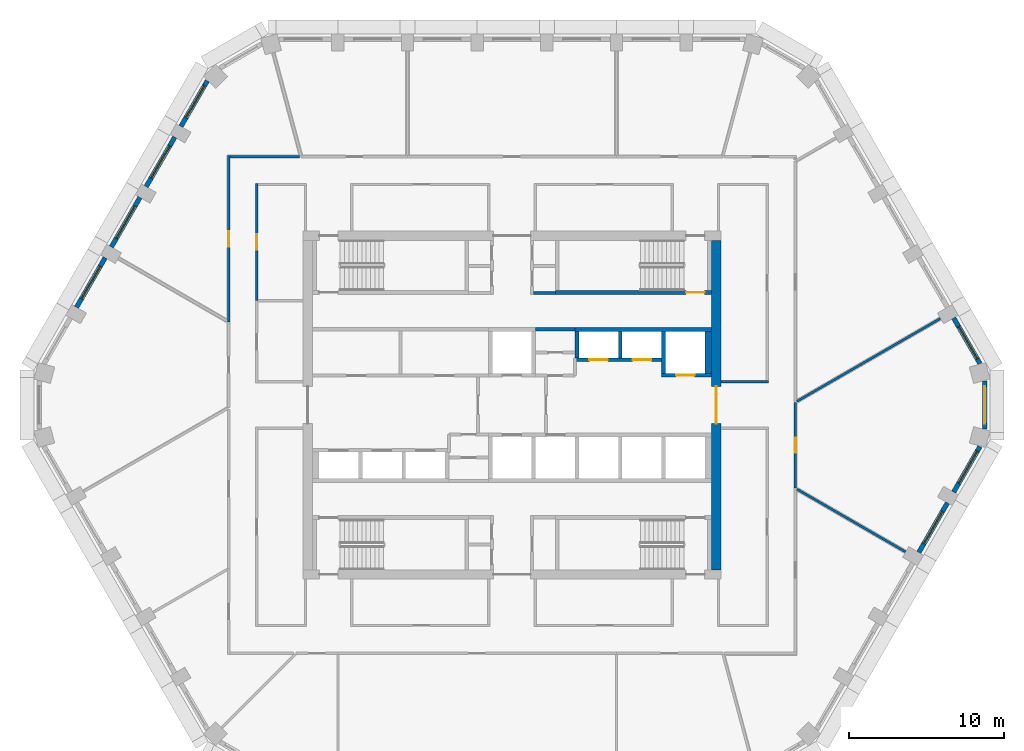
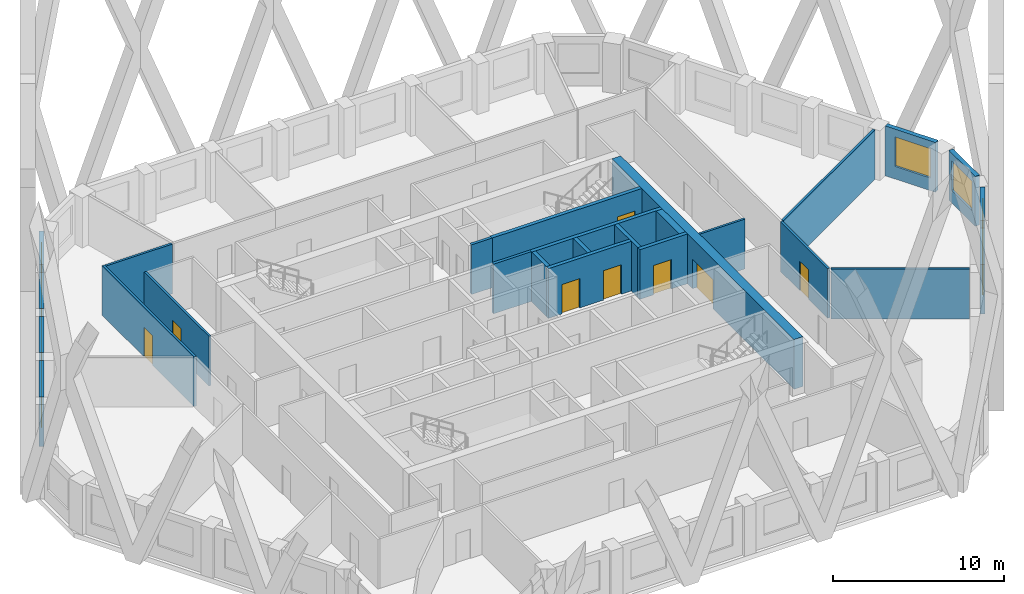
# One storey, part 5 of 16: 26 walls, 8 doors, 8 windows, 16 openings.
"""IFC4 building model written with IfcOpenShell, lengths in metres."""

import ifcopenshell
import ifcopenshell.guid

model = None  # the IFC model being written
_history = None  # IfcOwnerHistory: only IFC2X3 demands one
_inside = {}  # id of a spatial element -> (the spatial element, [elements in it])
_under = {}  # id of a project, library or spatial element -> (it, [spatial elements below it])
_declared = {}  # id of a project -> (the project, [libraries it declares])
_typed = {}  # id of a type object -> (the type object, [elements of that type])
_made_of = {}  # id of a material, layer set ... -> (it, [elements and type objects made of it])


def new_model(schema):
    """Start an empty IFC model of exactly this schema.

    Asked for "IFC4X3", IfcOpenShell would pick the latest addendum, in which some entities
    have other attributes; the version numbers below select the first issue.
    IFC2X3 requires an IfcOwnerHistory on every rooted entity: one is made here for all.
    """
    global model, _history
    if schema == "IFC4X3":
        model = ifcopenshell.file(schema_version=(4, 3, 0, 0))
    else:
        model = ifcopenshell.file(schema=schema)
    _inside.clear()
    _under.clear()
    _declared.clear()
    _typed.clear()
    _made_of.clear()
    _history = None
    if model.schema == "IFC2X3":
        org = make("IfcOrganization", Name="unknown")
        user = make(
            "IfcPersonAndOrganization",
            ThePerson=make("IfcPerson", FamilyName="unknown"),
            TheOrganization=org,
        )
        app = make(
            "IfcApplication",
            ApplicationDeveloper=org,
            Version="unknown",
            ApplicationFullName="unknown",
            ApplicationIdentifier="unknown",
        )
        _history = make(
            "IfcOwnerHistory",
            OwningUser=user,
            OwningApplication=app,
            ChangeAction="ADDED",
            CreationDate=0,
        )
    return model


def make(cls, **values):
    """One entity of the class cls with the attributes given. An attribute that is None is left unset."""
    return model.create_entity(
        cls, **{name: value for name, value in values.items() if value is not None}
    )


def rooted(cls, **values):
    """An entity with a GlobalId (a new one), such as an element, a storey or a relation."""
    return make(cls, GlobalId=ifcopenshell.guid.new(), OwnerHistory=_history, **values)


def si_unit(unit_type, name, prefix=None):
    """IfcSIUnit, for example si_unit("LENGTHUNIT", "METRE", prefix="MILLI")."""
    return make("IfcSIUnit", UnitType=unit_type, Prefix=prefix, Name=name)


def assignment(units):
    """IfcUnitAssignment: the units of a project."""
    return None if units is None else make("IfcUnitAssignment", Units=units)


def point(xyz):
    """IfcCartesianPoint."""
    return None if xyz is None else make("IfcCartesianPoint", Coordinates=xyz)


def direction(xyz):
    """IfcDirection."""
    return None if xyz is None else make("IfcDirection", DirectionRatios=xyz)


def frame(location, z_axis=None, x_axis=None):
    """IfcAxis2Placement3D, a coordinate frame: its origin and axes. An axis left out is left unset."""
    return make(
        "IfcAxis2Placement3D",
        Location=point(location),
        Axis=direction(z_axis),
        RefDirection=direction(x_axis),
    )


def frame_2d(location, x_axis=None):
    """IfcAxis2Placement2D, a coordinate frame in the plane: its origin and x axis."""
    return make(
        "IfcAxis2Placement2D", Location=point(location), RefDirection=direction(x_axis)
    )


def origin():
    """The frame at (0, 0, 0) with its axes left unset."""
    return frame((0.0, 0.0, 0.0))


def place(relative_to, where):
    """IfcLocalPlacement: puts the frame where relative to a parent placement (None: the world)."""
    return make(
        "IfcLocalPlacement", PlacementRelTo=relative_to, RelativePlacement=where
    )


def context(
    kind, dimensions, precision=None, world=None, true_north=None, identifier=None
):
    """IfcGeometricRepresentationContext, for example the 3D "Model" context."""
    return make(
        "IfcGeometricRepresentationContext",
        ContextIdentifier=identifier,
        ContextType=kind,
        CoordinateSpaceDimension=dimensions,
        Precision=precision,
        WorldCoordinateSystem=world,
        TrueNorth=true_north,
    )


def subcontext(parent, identifier, kind, view, scale=None):
    """IfcGeometricRepresentationSubContext, for example "Body" below "Model"."""
    return make(
        "IfcGeometricRepresentationSubContext",
        ContextIdentifier=identifier,
        ContextType=kind,
        ParentContext=parent,
        TargetScale=scale,
        TargetView=view,
    )


def project(units=None, contexts=None):
    """IfcProject with its units and contexts."""
    return rooted(
        "IfcProject",
        Name="project",
        RepresentationContexts=contexts,
        UnitsInContext=assignment(units),
    )


def spatial(cls, under=None, at=None, **own):
    """A site, building, storey or space (cls), placed at a placement, below another one or the project."""
    s = rooted(cls, ObjectPlacement=at, **own)
    if under is not None:
        _under.setdefault(under.id(), (under, []))[1].append(s)
    return s


def polyline(points):
    """IfcPolyline through the points."""
    return make("IfcPolyline", Points=[point(p) for p in points])


def profile(cls, at=None, kind="AREA", **sizes):
    """A parametric profile (cls). Its sizes go by their IFC names, for example OverallWidth=200.0."""
    return make(cls, ProfileType=kind, Position=at, **sizes)


def rectangle(**sizes):
    """IfcRectangleProfileDef."""
    return profile("IfcRectangleProfileDef", **sizes)


def outline(outer, holes=None, kind="AREA"):
    """IfcArbitraryClosedProfileDef: a profile drawn as a closed curve; with holes, ...WithVoids."""
    if holes is None:
        return make("IfcArbitraryClosedProfileDef", ProfileType=kind, OuterCurve=outer)
    return make(
        "IfcArbitraryProfileDefWithVoids",
        ProfileType=kind,
        OuterCurve=outer,
        InnerCurves=holes,
    )


def extrude(swept, where, along, depth):
    """IfcExtrudedAreaSolid: the profile swept, set in the frame where, extruded along a direction by depth."""
    return make(
        "IfcExtrudedAreaSolid",
        SweptArea=swept,
        Position=where,
        ExtrudedDirection=direction(along),
        Depth=depth,
    )


def shape(context_of_items, identifier, shape_type, items):
    """IfcShapeRepresentation: the items that make up one representation, for example the "Body"."""
    return make(
        "IfcShapeRepresentation",
        ContextOfItems=context_of_items,
        RepresentationIdentifier=identifier,
        RepresentationType=shape_type,
        Items=items,
    )


def material(Name=None, Category=None):
    """IfcMaterial."""
    return make("IfcMaterial", Name=Name, Category=Category)


def layer(
    of_material, thickness, ventilated=None, Name=None, Category=None, Priority=None
):
    """IfcMaterialLayer: one layer of a wall or slab, of a material (None: an air gap)."""
    return make(
        "IfcMaterialLayer",
        Material=of_material,
        LayerThickness=thickness,
        IsVentilated=ventilated,
        Name=Name,
        Category=Category,
        Priority=Priority,
    )


def layer_set(layers, Name=None):
    """IfcMaterialLayerSet."""
    return make("IfcMaterialLayerSet", MaterialLayers=layers, LayerSetName=Name)


def made_of(thing, what):
    """Note that an element or type object is made of a material, layer set ...; save() writes the relation."""
    if what is not None:
        _made_of.setdefault(what.id(), (what, []))[1].append(thing)
    return thing


def type_object(cls, material=None, **own):
    """A type object (cls), such as IfcWallType, which elements share."""
    return made_of(rooted(cls, **own), material)


def element(
    cls,
    number,
    at=None,
    inside=None,
    cuts=None,
    type_object=None,
    material=None,
    context=None,
    identifier="Body",
    shape_type=None,
    held_by="IfcProductDefinitionShape",
    body=None,
    shapes=None,
    **own,
):
    """One element of the class cls, such as IfcWall. Its Tag is "e" and its number.

    at: its placement. inside: the storey or other place that contains it. cuts: it is an
    opening in that element (IfcRelVoidsElement). A single representation is given by context,
    identifier, shape_type and body (its items); several are given by shapes. held_by: the class
    of the entity that holds the representations. save() writes the other relations.
    """
    e = rooted(cls, Tag="e%d" % number, ObjectPlacement=at, **own)
    if body is not None:
        shapes = [shape(context, identifier, shape_type, body)]
    if shapes is not None:
        e.Representation = make(held_by, Representations=shapes)
    if inside is not None:
        _inside.setdefault(inside.id(), (inside, []))[1].append(e)
    if cuts is not None:
        rooted(
            "IfcRelVoidsElement", RelatingBuildingElement=cuts, RelatedOpeningElement=e
        )
    if type_object is not None:
        _typed.setdefault(type_object.id(), (type_object, []))[1].append(e)
    return made_of(e, material)


def fill(opening, filler):
    """IfcRelFillsElement: the door or window that sits in an opening."""
    return rooted(
        "IfcRelFillsElement",
        RelatingOpeningElement=opening,
        RelatedBuildingElement=filler,
    )


def aggregate(whole, parts):
    """IfcRelAggregates: a whole, such as a stair, and the parts it consists of."""
    return rooted("IfcRelAggregates", RelatingObject=whole, RelatedObjects=parts)


def save(model, path):
    """Write the relations noted so far, then the file.

    IfcRelAggregates (storeys below a building ...), IfcRelContainedInSpatialStructure (elements
    in a storey), IfcRelDefinesByType, IfcRelAssociatesMaterial and IfcRelDeclares: one each for
    every whole, place, type object, material and project.
    """
    for whole, parts in _under.values():
        aggregate(whole, parts)
    for where, things in _inside.values():
        rooted(
            "IfcRelContainedInSpatialStructure",
            RelatedElements=things,
            RelatingStructure=where,
        )
    for kind, things in _typed.values():
        rooted("IfcRelDefinesByType", RelatedObjects=things, RelatingType=kind)
    for what, things in _made_of.values():
        rooted("IfcRelAssociatesMaterial", RelatedObjects=things, RelatingMaterial=what)
    for by, libraries in _declared.values():
        rooted("IfcRelDeclares", RelatingContext=by, RelatedDefinitions=libraries)
    model.write(path)


model = new_model("IFC4")

# Units and contexts
model_context = context("Model", 3, precision=1e-05, world=origin(), true_north=direction((0.0, 1.0)))
body_context = subcontext(model_context, "Body", "Model", "MODEL_VIEW")
ifc_project = project(units=[si_unit("LENGTHUNIT", "METRE"), si_unit("AREAUNIT", "SQUARE_METRE"), si_unit("VOLUMEUNIT", "CUBIC_METRE"), si_unit("PLANEANGLEUNIT", "RADIAN"), si_unit("MASSUNIT", "GRAM", prefix="KILO")], contexts=[model_context])

# Site, building, storey
site_placement = place(None, origin())
site = spatial("IfcSite", under=ifc_project, at=site_placement, CompositionType="ELEMENT")
building_placement = place(site_placement, origin())
building = spatial("IfcBuilding", under=site, at=building_placement, Name="Dhurran Vertical Campus", CompositionType="ELEMENT")
storey_placement = place(building_placement, frame((0.0, 0.0, 183.89990234375)))
storey = spatial("IfcBuildingStorey", under=building, at=storey_placement, Name="L45", CompositionType="ELEMENT", Elevation=183.89990234375)

# Wall, opening, window
ifc_material_1 = material(Name="Precast concrete C50/60", Category="concrete")
ifc_layer_1 = layer(ifc_material_1, 0.300048828125)
ifc_layer_set_1 = layer_set([ifc_layer_1], Name="Precast concrete C50/60")
wall_type_1 = type_object("IfcWallType", Name="Precast spandrel wall 300", PredefinedType="SOLIDWALL", material=ifc_layer_set_1)
wall_1_placement = place(storey_placement, frame((26.294189453125, -9.5224609375, 0.0), z_axis=(0.0, 0.0, 1.0), x_axis=(0.500029062817, 0.866008623709, 0.0)))
wall_1 = element("IfcWall", 1, at=wall_1_placement, inside=storey, type_object=wall_type_1, Name="EW1 L45.11", PredefinedType="SOLIDWALL", context=body_context, shape_type="SweptSolid", body=[
    extrude(rectangle(XDim=3.698974609375, YDim=0.300048828125, at=frame_2d((1.849609375, 0.0))), origin(), (0.0, 0.0, 1.0), 3.550048828125),
])
opening_1_placement = place(wall_1_placement, frame((0.6494140625, 0.0, 0.89990234375)))
opening_1 = element("IfcOpeningElement", 2, at=opening_1_placement, cuts=wall_1, Name="Opening WT1", PredefinedType="OPENING", context=body_context, shape_type="SweptSolid", body=[
    extrude(rectangle(XDim=2.39990234375, YDim=2.10009765625, at=frame_2d((1.199951171875, 1.050048828125))), frame((0.0, 0.159912109375, 0.0), z_axis=(0.0, -1.0, 0.0), x_axis=(1.0, 0.0, 0.0)), (0.0, 0.0, 1.0), 0.320068359375),
])
ifc_material_2 = material(Name="Aluminium frame with solar-control glass", Category="aluminium")
window_type = type_object("IfcWindowType", Name="Punched window 2400 x 2100", PartitioningType="SINGLE_PANEL", PredefinedType="WINDOW", material=ifc_material_2)
window_1_placement = place(opening_1_placement, origin())
window_1 = element("IfcWindow", 3, at=window_1_placement, inside=storey, type_object=window_type, Name="WT1 L45.11", OverallHeight=2.10009765625, OverallWidth=2.39990234375, PartitioningType="SINGLE_PANEL", PredefinedType="WINDOW", context=body_context, shape_type="SweptSolid", body=[
    extrude(rectangle(XDim=2.39990234375, YDim=2.10009765625, at=frame_2d((1.199951171875, 1.050048828125))), frame((0.0, 0.030029296875, 0.0), z_axis=(0.0, -1.0, 0.0), x_axis=(1.0, 0.0, 0.0)), (0.0, 0.0, 1.0), 0.06005859375),
])
fill(opening_1, window_1)

wall_2_placement = place(storey_placement, frame((28.544189453125, -5.625244140625, 0.0), z_axis=(0.0, 0.0, 1.0), x_axis=(0.500012868213, 0.866017974191, 0.0)))
wall_2 = element("IfcWall", 4, at=wall_2_placement, inside=storey, type_object=wall_type_1, Name="EW1 L45.12", PredefinedType="SOLIDWALL", context=body_context, shape_type="SweptSolid", body=[
    extrude(rectangle(XDim=3.39599609375, YDim=0.300048828125, at=frame_2d((1.697998046875, 0.0))), origin(), (0.0, 0.0, 1.0), 3.550048828125),
])
opening_2_placement = place(wall_2_placement, frame((0.6494140625, 0.0, 0.89990234375)))
opening_2 = element("IfcOpeningElement", 5, at=opening_2_placement, cuts=wall_2, Name="Opening WT1", PredefinedType="OPENING", context=body_context, shape_type="SweptSolid", body=[
    extrude(rectangle(XDim=2.39990234375, YDim=2.10009765625, at=frame_2d((1.199951171875, 1.050048828125))), frame((0.0, 0.159912109375, 0.0), z_axis=(0.0, -1.0, 0.0), x_axis=(1.0, 0.0, 0.0)), (0.0, 0.0, 1.0), 0.320068359375),
])
window_2_placement = place(opening_2_placement, origin())
window_2 = element("IfcWindow", 6, at=window_2_placement, inside=storey, type_object=window_type, Name="WT1 L45.12", OverallHeight=2.10009765625, OverallWidth=2.39990234375, PartitioningType="SINGLE_PANEL", PredefinedType="WINDOW", context=body_context, shape_type="SweptSolid", body=[
    extrude(rectangle(XDim=2.39990234375, YDim=2.10009765625, at=frame_2d((1.199951171875, 1.050048828125))), frame((0.0, 0.030029296875, 0.0), z_axis=(0.0, -1.0, 0.0), x_axis=(1.0, 0.0, 0.0)), (0.0, 0.0, 1.0), 0.06005859375),
])
fill(opening_2, window_2)

wall_3_placement = place(storey_placement, frame((30.547119140625, -1.54638671875, 0.0), z_axis=(0.0, 0.0, 1.0), x_axis=(0.0, 1.0, 0.0)))
wall_3 = element("IfcWall", 7, at=wall_3_placement, inside=storey, type_object=wall_type_1, Name="EW1 L45.13", PredefinedType="SOLIDWALL", context=body_context, shape_type="SweptSolid", body=[
    extrude(rectangle(XDim=3.0927734375, YDim=0.300048828125, at=frame_2d((1.54638671875, 0.0))), origin(), (0.0, 0.0, 1.0), 3.550048828125),
])
opening_3_placement = place(wall_3_placement, frame((0.34619140625, 0.0, 0.89990234375)))
opening_3 = element("IfcOpeningElement", 8, at=opening_3_placement, cuts=wall_3, Name="Opening WT1", PredefinedType="OPENING", context=body_context, shape_type="SweptSolid", body=[
    extrude(rectangle(XDim=2.39990234375, YDim=2.10009765625, at=frame_2d((1.199951171875, 1.050048828125))), frame((0.0, 0.159912109375, 0.0), z_axis=(0.0, -1.0, 0.0), x_axis=(1.0, 0.0, 0.0)), (0.0, 0.0, 1.0), 0.320068359375),
])
window_3_placement = place(opening_3_placement, origin())
window_3 = element("IfcWindow", 9, at=window_3_placement, inside=storey, type_object=window_type, Name="WT1 L45.13", OverallHeight=2.10009765625, OverallWidth=2.39990234375, PartitioningType="SINGLE_PANEL", PredefinedType="WINDOW", context=body_context, shape_type="SweptSolid", body=[
    extrude(rectangle(XDim=2.39990234375, YDim=2.10009765625, at=frame_2d((1.199951171875, 1.050048828125))), frame((0.0, 0.030029296875, 0.0), z_axis=(0.0, -1.0, 0.0), x_axis=(1.0, 0.0, 0.0)), (0.0, 0.0, 1.0), 0.06005859375),
])
fill(opening_3, window_3)

wall_4_placement = place(storey_placement, frame((30.2421875, 2.684326171875, 0.0), z_axis=(0.0, 0.0, 1.0), x_axis=(-0.500012868213, 0.866017974191, 0.0)))
wall_4 = element("IfcWall", 10, at=wall_4_placement, inside=storey, type_object=wall_type_1, Name="EW1 L45.14", PredefinedType="SOLIDWALL", context=body_context, shape_type="SweptSolid", body=[
    extrude(rectangle(XDim=3.39599609375, YDim=0.300048828125, at=frame_2d((1.697998046875, 0.0))), origin(), (0.0, 0.0, 1.0), 3.550048828125),
])
opening_4_placement = place(wall_4_placement, frame((0.346435546875, 0.0, 0.89990234375)))
opening_4 = element("IfcOpeningElement", 11, at=opening_4_placement, cuts=wall_4, Name="Opening WT1", PredefinedType="OPENING", context=body_context, shape_type="SweptSolid", body=[
    extrude(rectangle(XDim=2.39990234375, YDim=2.10009765625, at=frame_2d((1.199951171875, 1.050048828125))), frame((0.0, 0.159912109375, 0.0), z_axis=(0.0, -1.0, 0.0), x_axis=(1.0, 0.0, 0.0)), (0.0, 0.0, 1.0), 0.320068359375),
])
window_4_placement = place(opening_4_placement, origin())
window_4 = element("IfcWindow", 12, at=window_4_placement, inside=storey, type_object=window_type, Name="WT1 L45.14", OverallHeight=2.10009765625, OverallWidth=2.39990234375, PartitioningType="SINGLE_PANEL", PredefinedType="WINDOW", context=body_context, shape_type="SweptSolid", body=[
    extrude(rectangle(XDim=2.39990234375, YDim=2.10009765625, at=frame_2d((1.199951171875, 1.050048828125))), frame((0.0, 0.030029296875, 0.0), z_axis=(0.0, -1.0, 0.0), x_axis=(1.0, 0.0, 0.0)), (0.0, 0.0, 1.0), 0.06005859375),
])
fill(opening_4, window_4)

wall_5_placement = place(storey_placement, frame((-19.69580078125, 20.951171875, 0.0), z_axis=(0.0, 0.0, 1.0), x_axis=(-0.500012868213, -0.866017974191, 0.0)))
wall_5 = element("IfcWall", 13, at=wall_5_placement, inside=storey, type_object=wall_type_1, Name="EW1 L45.28", PredefinedType="SOLIDWALL", context=body_context, shape_type="SweptSolid", body=[
    extrude(rectangle(XDim=3.39599609375, YDim=0.300048828125, at=frame_2d((1.697998046875, 0.0))), origin(), (0.0, 0.0, 1.0), 3.550048828125),
])
opening_5_placement = place(wall_5_placement, frame((0.346435546875, 0.0, 0.89990234375)))
opening_5 = element("IfcOpeningElement", 14, at=opening_5_placement, cuts=wall_5, Name="Opening WT1", PredefinedType="OPENING", context=body_context, shape_type="SweptSolid", body=[
    extrude(rectangle(XDim=2.39990234375, YDim=2.10009765625, at=frame_2d((1.199951171875, 1.050048828125))), frame((0.0, 0.159912109375, 0.0), z_axis=(0.0, -1.0, 0.0), x_axis=(1.0, 0.0, 0.0)), (0.0, 0.0, 1.0), 0.320068359375),
])
window_5_placement = place(opening_5_placement, origin())
window_5 = element("IfcWindow", 15, at=window_5_placement, inside=storey, type_object=window_type, Name="WT1 L45.28", OverallHeight=2.10009765625, OverallWidth=2.39990234375, PartitioningType="SINGLE_PANEL", PredefinedType="WINDOW", context=body_context, shape_type="SweptSolid", body=[
    extrude(rectangle(XDim=2.39990234375, YDim=2.10009765625, at=frame_2d((1.199951171875, 1.050048828125))), frame((0.0, 0.030029296875, 0.0), z_axis=(0.0, -1.0, 0.0), x_axis=(1.0, 0.0, 0.0)), (0.0, 0.0, 1.0), 0.06005859375),
])
fill(opening_5, window_5)

wall_6_placement = place(storey_placement, frame((-21.794189453125, 17.316650390625, 0.0), z_axis=(0.0, 0.0, 1.0), x_axis=(-0.500029062817, -0.866008623709, 0.0)))
wall_6 = element("IfcWall", 16, at=wall_6_placement, inside=storey, type_object=wall_type_1, Name="EW1 L45.29", PredefinedType="SOLIDWALL", context=body_context, shape_type="SweptSolid", body=[
    extrude(rectangle(XDim=3.698974609375, YDim=0.300048828125, at=frame_2d((1.849609375, 0.0))), origin(), (0.0, 0.0, 1.0), 3.550048828125),
])
opening_6_placement = place(wall_6_placement, frame((0.6494140625, 0.0, 0.89990234375)))
opening_6 = element("IfcOpeningElement", 17, at=opening_6_placement, cuts=wall_6, Name="Opening WT1", PredefinedType="OPENING", context=body_context, shape_type="SweptSolid", body=[
    extrude(rectangle(XDim=2.39990234375, YDim=2.10009765625, at=frame_2d((1.199951171875, 1.050048828125))), frame((0.0, 0.159912109375, 0.0), z_axis=(0.0, -1.0, 0.0), x_axis=(1.0, 0.0, 0.0)), (0.0, 0.0, 1.0), 0.320068359375),
])
window_6_placement = place(opening_6_placement, origin())
window_6 = element("IfcWindow", 18, at=window_6_placement, inside=storey, type_object=window_type, Name="WT1 L45.29", OverallHeight=2.10009765625, OverallWidth=2.39990234375, PartitioningType="SINGLE_PANEL", PredefinedType="WINDOW", context=body_context, shape_type="SweptSolid", body=[
    extrude(rectangle(XDim=2.39990234375, YDim=2.10009765625, at=frame_2d((1.199951171875, 1.050048828125))), frame((0.0, 0.030029296875, 0.0), z_axis=(0.0, -1.0, 0.0), x_axis=(1.0, 0.0, 0.0)), (0.0, 0.0, 1.0), 0.06005859375),
])
fill(opening_6, window_6)

wall_7_placement = place(storey_placement, frame((-24.044189453125, 13.41943359375, 0.0), z_axis=(0.0, 0.0, 1.0), x_axis=(-0.500029062817, -0.866008623709, 0.0)))
wall_7 = element("IfcWall", 19, at=wall_7_placement, inside=storey, type_object=wall_type_1, Name="EW1 L45.30", PredefinedType="SOLIDWALL", context=body_context, shape_type="SweptSolid", body=[
    extrude(rectangle(XDim=3.698974609375, YDim=0.300048828125, at=frame_2d((1.849609375, 0.0))), origin(), (0.0, 0.0, 1.0), 3.550048828125),
])
opening_7_placement = place(wall_7_placement, frame((0.6494140625, 0.0, 0.89990234375)))
opening_7 = element("IfcOpeningElement", 20, at=opening_7_placement, cuts=wall_7, Name="Opening WT1", PredefinedType="OPENING", context=body_context, shape_type="SweptSolid", body=[
    extrude(rectangle(XDim=2.39990234375, YDim=2.10009765625, at=frame_2d((1.199951171875, 1.050048828125))), frame((0.0, 0.159912109375, 0.0), z_axis=(0.0, -1.0, 0.0), x_axis=(1.0, 0.0, 0.0)), (0.0, 0.0, 1.0), 0.320068359375),
])
window_7_placement = place(opening_7_placement, origin())
window_7 = element("IfcWindow", 21, at=window_7_placement, inside=storey, type_object=window_type, Name="WT1 L45.30", OverallHeight=2.10009765625, OverallWidth=2.39990234375, PartitioningType="SINGLE_PANEL", PredefinedType="WINDOW", context=body_context, shape_type="SweptSolid", body=[
    extrude(rectangle(XDim=2.39990234375, YDim=2.10009765625, at=frame_2d((1.199951171875, 1.050048828125))), frame((0.0, 0.030029296875, 0.0), z_axis=(0.0, -1.0, 0.0), x_axis=(1.0, 0.0, 0.0)), (0.0, 0.0, 1.0), 0.06005859375),
])
fill(opening_7, window_7)

wall_8_placement = place(storey_placement, frame((-26.294189453125, 9.5224609375, 0.0), z_axis=(0.0, 0.0, 1.0), x_axis=(-0.500029062817, -0.866008623709, 0.0)))
wall_8 = element("IfcWall", 22, at=wall_8_placement, inside=storey, type_object=wall_type_1, Name="EW1 L45.31", PredefinedType="SOLIDWALL", context=body_context, shape_type="SweptSolid", body=[
    extrude(rectangle(XDim=3.698974609375, YDim=0.300048828125, at=frame_2d((1.849609375, 0.0))), origin(), (0.0, 0.0, 1.0), 3.550048828125),
])
opening_8_placement = place(wall_8_placement, frame((0.6494140625, 0.0, 0.89990234375)))
opening_8 = element("IfcOpeningElement", 23, at=opening_8_placement, cuts=wall_8, Name="Opening WT1", PredefinedType="OPENING", context=body_context, shape_type="SweptSolid", body=[
    extrude(rectangle(XDim=2.39990234375, YDim=2.10009765625, at=frame_2d((1.199951171875, 1.050048828125))), frame((0.0, 0.159912109375, 0.0), z_axis=(0.0, -1.0, 0.0), x_axis=(1.0, 0.0, 0.0)), (0.0, 0.0, 1.0), 0.320068359375),
])
window_8_placement = place(opening_8_placement, origin())
window_8 = element("IfcWindow", 24, at=window_8_placement, inside=storey, type_object=window_type, Name="WT1 L45.31", OverallHeight=2.10009765625, OverallWidth=2.39990234375, PartitioningType="SINGLE_PANEL", PredefinedType="WINDOW", context=body_context, shape_type="SweptSolid", body=[
    extrude(rectangle(XDim=2.39990234375, YDim=2.10009765625, at=frame_2d((1.199951171875, 1.050048828125))), frame((0.0, 0.030029296875, 0.0), z_axis=(0.0, -1.0, 0.0), x_axis=(1.0, 0.0, 0.0)), (0.0, 0.0, 1.0), 0.06005859375),
])
fill(opening_8, window_8)

# Wall, opening, door
ifc_material_3 = material(Name="Concrete C50/60", Category="concrete")
ifc_layer_2 = layer(ifc_material_3, 0.60009765625)
ifc_layer_set_2 = layer_set([ifc_layer_2], Name="Concrete C50/60")
wall_type_2 = type_object("IfcWallType", Name="co-CORE-WALL-C2-600", PredefinedType="SHEAR", material=ifc_layer_set_2)
wall_9_placement = place(storey_placement, frame((13.199951171875, -10.64990234375, 0.0), z_axis=(0.0, 0.0, 1.0), x_axis=(0.0, 1.0, 0.0)))
wall_9 = element("IfcWall", 25, at=wall_9_placement, inside=storey, type_object=wall_type_2, Name="Core wall E L45", PredefinedType="SHEAR", context=body_context, shape_type="SweptSolid", body=[
    extrude(rectangle(XDim=21.2998046875, YDim=0.60009765625, at=frame_2d((10.64990234375, 0.0))), origin(), (0.0, 0.0, 1.0), 3.550048828125),
])
opening_9_placement = place(wall_9_placement, frame((9.449951171875, 0.0, 0.0)))
opening_9 = element("IfcOpeningElement", 26, at=opening_9_placement, cuts=wall_9, Name="Opening CL2", PredefinedType="OPENING", context=body_context, shape_type="SweptSolid", body=[
    extrude(rectangle(XDim=2.39990234375, YDim=2.10009765625, at=frame_2d((1.199951171875, 1.050048828125))), frame((0.0, 0.31005859375, 0.0), z_axis=(0.0, -1.0, 0.0), x_axis=(1.0, 0.0, 0.0)), (0.0, 0.0, 1.0), 0.6201171875),
])
ifc_material_4 = material(Name="Fire-rated glazed door set")
door_type_1 = type_object("IfcDoorType", Name="co-D-LOBBY 2400x2100", OperationType="DOUBLE_DOOR_DOUBLE_SWING", PredefinedType="DOOR", material=ifc_material_4)
door_1_placement = place(opening_9_placement, origin())
door_1 = element("IfcDoor", 27, at=door_1_placement, inside=storey, type_object=door_type_1, Name="Lift lobby door E L45", OperationType="DOUBLE_DOOR_DOUBLE_SWING", OverallHeight=2.10009765625, OverallWidth=2.39990234375, PredefinedType="DOOR", context=body_context, shape_type="SweptSolid", body=[
    extrude(rectangle(XDim=2.39990234375, YDim=2.10009765625, at=frame_2d((1.199951171875, 1.050048828125))), frame((0.0, 0.02490234375, 0.0), z_axis=(0.0, -1.0, 0.0), x_axis=(1.0, 0.0, 0.0)), (0.0, 0.0, 1.0), 0.050048828125),
])
fill(opening_9, door_1)

# Walls
ifc_material_5 = material(Name="Fire-rated masonry blockwork", Category="masonry")
ifc_layer_3 = layer(ifc_material_5, 0.199951171875)
ifc_layer_set_3 = layer_set([ifc_layer_3], Name="Fire-rated masonry blockwork")
wall_type_3 = type_object("IfcWallType", Name="co-FIRE-PARTITION-200", PredefinedType="PARTITIONING", material=ifc_layer_set_3)
wall_10_placement = place(storey_placement, frame((1.39990234375, 7.25, 0.0), z_axis=(0.0, 0.0, 1.0), x_axis=(1.0, 0.0, 0.0)))
element("IfcWall", 28, at=wall_10_placement, inside=storey, type_object=wall_type_3, Name="Core partition sl-NE-S L45", PredefinedType="PARTITIONING", context=body_context, shape_type="SweptSolid", body=[
    extrude(rectangle(XDim=1.400146484375, YDim=0.199951171875, at=frame_2d((0.7001953125, 0.0))), origin(), (0.0, 0.0, 1.0), 3.550048828125),
])
wall_11_placement = place(storey_placement, frame((1.52490234375, 4.89990234375, 0.0), z_axis=(0.0, 0.0, 1.0), x_axis=(1.0, 0.0, 0.0)))
element("IfcWall", 29, at=wall_11_placement, inside=storey, type_object=wall_type_3, Name="Core partition fr-N1-b L45", PredefinedType="PARTITIONING", context=body_context, shape_type="SweptSolid", body=[
    extrude(rectangle(XDim=2.550048828125, YDim=0.199951171875, at=frame_2d((1.27490234375, 0.0))), origin(), (0.0, 0.0, 1.0), 3.550048828125),
])

# Wall, openings, doors
ifc_material_6 = material(Name="Concrete C50/60", Category="concrete")
ifc_layer_4 = layer(ifc_material_6, 0.25)
ifc_layer_set_4 = layer_set([ifc_layer_4], Name="Concrete C50/60")
wall_type_4 = type_object("IfcWallType", Name="co-SHAFT-FRONT-250", PredefinedType="SHEAR", material=ifc_layer_set_4)
wall_12_placement = place(storey_placement, frame((4.074951171875, 2.925048828125, 0.0), z_axis=(0.0, 0.0, 1.0), x_axis=(1.0, 0.0, 0.0)))
wall_12 = element("IfcWall", 30, at=wall_12_placement, inside=storey, type_object=wall_type_4, Name="Lift landing wall N L45", PredefinedType="SHEAR", context=body_context, shape_type="SweptSolid", body=[
    extrude(rectangle(XDim=5.85009765625, YDim=0.25, at=frame_2d((2.925048828125, 0.0))), origin(), (0.0, 0.0, 1.0), 3.550048828125),
])
opening_10_placement = place(wall_12_placement, frame((0.925048828125, 0.0, 0.0)))
opening_10 = element("IfcOpeningElement", 31, at=opening_10_placement, cuts=wall_12, Name="Opening LD", PredefinedType="OPENING", context=body_context, shape_type="SweptSolid", body=[
    extrude(rectangle(XDim=1.199951171875, YDim=2.10009765625, at=frame_2d((0.60009765625, 1.050048828125))), frame((0.0, 0.135009765625, 0.0), z_axis=(0.0, -1.0, 0.0), x_axis=(1.0, 0.0, 0.0)), (0.0, 0.0, 1.0), 0.27001953125),
])
opening_11_placement = place(wall_12_placement, frame((3.72509765625, 0.0, 0.0)))
opening_11 = element("IfcOpeningElement", 32, at=opening_11_placement, cuts=wall_12, Name="Opening LD", PredefinedType="OPENING", context=body_context, shape_type="SweptSolid", body=[
    extrude(rectangle(XDim=1.199951171875, YDim=2.10009765625, at=frame_2d((0.60009765625, 1.050048828125))), frame((0.0, 0.135009765625, 0.0), z_axis=(0.0, -1.0, 0.0), x_axis=(1.0, 0.0, 0.0)), (0.0, 0.0, 1.0), 0.27001953125),
])
ifc_material_7 = material(Name="Stainless steel landing door", Category="steel")
door_type_2 = type_object("IfcDoorType", Name="co-D-LANDING 1200x2100", OperationType="DOUBLE_DOOR_SLIDING", PredefinedType="DOOR", material=ifc_material_7)
door_2_placement = place(opening_10_placement, origin())
door_2 = element("IfcDoor", 33, at=door_2_placement, inside=storey, type_object=door_type_2, Name="Landing door MR1 L45", OperationType="DOUBLE_DOOR_SLIDING", OverallHeight=2.10009765625, OverallWidth=1.199951171875, PredefinedType="DOOR", context=body_context, shape_type="SweptSolid", body=[
    extrude(rectangle(XDim=1.199951171875, YDim=2.10009765625, at=frame_2d((0.60009765625, 1.050048828125))), frame((0.0, 0.02490234375, 0.0), z_axis=(0.0, -1.0, 0.0), x_axis=(1.0, 0.0, 0.0)), (0.0, 0.0, 1.0), 0.050048828125),
])
fill(opening_10, door_2)
door_3_placement = place(opening_11_placement, origin())
door_3 = element("IfcDoor", 34, at=door_3_placement, inside=storey, type_object=door_type_2, Name="Landing door MR2 L45", OperationType="DOUBLE_DOOR_SLIDING", OverallHeight=2.10009765625, OverallWidth=1.199951171875, PredefinedType="DOOR", context=body_context, shape_type="SweptSolid", body=[
    extrude(rectangle(XDim=1.199951171875, YDim=2.10009765625, at=frame_2d((0.60009765625, 1.050048828125))), frame((0.0, 0.02490234375, 0.0), z_axis=(0.0, -1.0, 0.0), x_axis=(1.0, 0.0, 0.0)), (0.0, 0.0, 1.0), 0.050048828125),
])
fill(opening_11, door_3)

# Wall, opening, door
wall_13_placement = place(storey_placement, frame((9.675048828125, 1.925048828125, 0.0), z_axis=(0.0, 0.0, 1.0), x_axis=(1.0, 0.0, 0.0)))
wall_13 = element("IfcWall", 35, at=wall_13_placement, inside=storey, type_object=wall_type_4, Name="Lift landing wall N L45", PredefinedType="SHEAR", context=body_context, shape_type="SweptSolid", body=[
    extrude(rectangle(XDim=3.224853515625, YDim=0.25, at=frame_2d((1.6123046875, 0.0))), origin(), (0.0, 0.0, 1.0), 3.550048828125),
])
opening_12_placement = place(wall_13_placement, frame((0.925048828125, 0.0, 0.0)))
opening_12 = element("IfcOpeningElement", 36, at=opening_12_placement, cuts=wall_13, Name="Opening LD", PredefinedType="OPENING", context=body_context, shape_type="SweptSolid", body=[
    extrude(rectangle(XDim=1.199951171875, YDim=2.10009765625, at=frame_2d((0.60009765625, 1.050048828125))), frame((0.0, 0.135009765625, 0.0), z_axis=(0.0, -1.0, 0.0), x_axis=(1.0, 0.0, 0.0)), (0.0, 0.0, 1.0), 0.27001953125),
])
door_4_placement = place(opening_12_placement, origin())
door_4 = element("IfcDoor", 37, at=door_4_placement, inside=storey, type_object=door_type_2, Name="Landing door SV2 L45", OperationType="DOUBLE_DOOR_SLIDING", OverallHeight=2.10009765625, OverallWidth=1.199951171875, PredefinedType="DOOR", context=body_context, shape_type="SweptSolid", body=[
    extrude(rectangle(XDim=1.199951171875, YDim=2.10009765625, at=frame_2d((0.60009765625, 1.050048828125))), frame((0.0, 0.02490234375, 0.0), z_axis=(0.0, -1.0, 0.0), x_axis=(1.0, 0.0, 0.0)), (0.0, 0.0, 1.0), 0.050048828125),
])
fill(opening_12, door_4)

# Walls
ifc_material_8 = material(Name="Concrete C50/60", Category="concrete")
ifc_layer_5 = layer(ifc_material_8, 0.25)
ifc_layer_set_5 = layer_set([ifc_layer_5], Name="Concrete C50/60")
wall_type_5 = type_object("IfcWallType", Name="co-SHAFT-MASS-250", PredefinedType="SHEAR", material=ifc_layer_set_5)
wall_14_placement = place(storey_placement, origin())
element("IfcWall", 38, at=wall_14_placement, inside=storey, type_object=wall_type_5, Name="Lift shaft wall N L45 2", PredefinedType="SHEAR", context=body_context, shape_type="SweptSolid", body=[
    extrude(outline(polyline([(4.074951171875, 4.75), (12.89990234375, 4.75), (12.89990234375, 5.0), (4.074951171875, 5.0), (4.074951171875, 4.75)])), origin(), (0.0, 0.0, 1.0), 3.550048828125),
])
wall_15_placement = place(storey_placement, origin())
element("IfcWall", 39, at=wall_15_placement, inside=storey, type_object=wall_type_5, Name="Lift shaft wall N L45 5", PredefinedType="SHEAR", context=body_context, shape_type="SweptSolid", body=[
    extrude(outline(polyline([(9.675048828125, 2.050048828125), (9.925048828125, 2.050048828125), (9.925048828125, 4.75), (9.675048828125, 4.75), (9.675048828125, 2.050048828125)])), origin(), (0.0, 0.0, 1.0), 3.550048828125),
])
wall_16_placement = place(storey_placement, origin())
element("IfcWall", 40, at=wall_16_placement, inside=storey, type_object=wall_type_5, Name="Lift shaft wall N L45 6", PredefinedType="SHEAR", context=body_context, shape_type="SweptSolid", body=[
    extrude(outline(polyline([(12.47509765625, 2.050048828125), (12.89990234375, 2.050048828125), (12.89990234375, 4.75), (12.47509765625, 4.75), (12.47509765625, 2.050048828125)])), origin(), (0.0, 0.0, 1.0), 3.550048828125),
])
wall_17_placement = place(storey_placement, origin())
element("IfcWall", 41, at=wall_17_placement, inside=storey, type_object=wall_type_5, Name="Lift shaft wall N L45 7", PredefinedType="SHEAR", context=body_context, shape_type="SweptSolid", body=[
    extrude(outline(polyline([(4.074951171875, 3.050048828125), (4.324951171875, 3.050048828125), (4.324951171875, 4.75), (4.074951171875, 4.75), (4.074951171875, 3.050048828125)])), origin(), (0.0, 0.0, 1.0), 3.550048828125),
])
wall_18_placement = place(storey_placement, origin())
element("IfcWall", 42, at=wall_18_placement, inside=storey, type_object=wall_type_5, Name="Lift shaft wall N L45 8", PredefinedType="SHEAR", context=body_context, shape_type="SweptSolid", body=[
    extrude(outline(polyline([(6.875, 3.050048828125), (7.125, 3.050048828125), (7.125, 4.75), (6.875, 4.75), (6.875, 3.050048828125)])), origin(), (0.0, 0.0, 1.0), 3.550048828125),
])

# Wall, opening, door
ifc_material_9 = material(Name="Concrete C40/50", Category="concrete")
ifc_layer_6 = layer(ifc_material_9, 0.25)
ifc_layer_set_6 = layer_set([ifc_layer_6], Name="Concrete C40/50")
wall_type_6 = type_object("IfcWallType", Name="co-STAIR-WALL-250", PredefinedType="SHEAR", material=ifc_layer_set_6)
wall_19_placement = place(storey_placement, frame((2.800048828125, 7.27490234375, 0.0), z_axis=(0.0, 0.0, 1.0), x_axis=(1.0, 0.0, 0.0)))
wall_19 = element("IfcWall", 43, at=wall_19_placement, inside=storey, type_object=wall_type_6, Name="Stair ST2 enclosure wall L45", PredefinedType="SHEAR", context=body_context, shape_type="SweptSolid", body=[
    extrude(rectangle(XDim=10.099853515625, YDim=0.25, at=frame_2d((5.0498046875, 0.0))), origin(), (0.0, 0.0, 1.0), 3.550048828125),
])
opening_13_placement = place(wall_19_placement, frame((8.449951171875, 0.0, 0.0)))
opening_13 = element("IfcOpeningElement", 44, at=opening_13_placement, cuts=wall_19, Name="Opening SD2", PredefinedType="OPENING", context=body_context, shape_type="SweptSolid", body=[
    extrude(rectangle(XDim=1.199951171875, YDim=2.10009765625, at=frame_2d((0.60009765625, 1.050048828125))), frame((0.0, 0.135009765625, 0.0), z_axis=(0.0, -1.0, 0.0), x_axis=(1.0, 0.0, 0.0)), (0.0, 0.0, 1.0), 0.27001953125),
])
ifc_material_10 = material(Name="Fire-rated steel door set", Category="steel")
door_type_3 = type_object("IfcDoorType", Name="co-D-STAIR 1200x2100", OperationType="SINGLE_SWING_LEFT", PredefinedType="DOOR", material=ifc_material_10)
door_5_placement = place(opening_13_placement, origin())
door_5 = element("IfcDoor", 45, at=door_5_placement, inside=storey, type_object=door_type_3, Name="Stair ST2 door L45", OperationType="SINGLE_SWING_LEFT", OverallHeight=2.10009765625, OverallWidth=1.199951171875, PredefinedType="DOOR", context=body_context, shape_type="SweptSolid", body=[
    extrude(rectangle(XDim=1.199951171875, YDim=2.10009765625, at=frame_2d((0.60009765625, 1.050048828125))), frame((0.0, 0.02490234375, 0.0), z_axis=(0.0, -1.0, 0.0), x_axis=(1.0, 0.0, 0.0)), (0.0, 0.0, 1.0), 0.050048828125),
])
fill(opening_13, door_5)

ifc_material_11 = material(Name="Gypsum board corridor wall on steel studs", Category="steel")
ifc_layer_7 = layer(ifc_material_11, 0.14990234375)
ifc_layer_set_7 = layer_set([ifc_layer_7], Name="Gypsum board corridor wall on steel studs")
wall_type_7 = type_object("IfcWallType", Name="fl-CW-150 corridor wall", PredefinedType="PARTITIONING", material=ifc_layer_set_7)
wall_20_placement = place(storey_placement, frame((-18.300048828125, 16.125, 0.0), z_axis=(0.0, 0.0, 1.0), x_axis=(0.0, -1.0, 0.0)))
wall_20 = element("IfcWall", 46, at=wall_20_placement, inside=storey, type_object=wall_type_7, Name="Partition 45-09", PredefinedType="PARTITIONING", context=body_context, shape_type="SweptSolid", body=[
    extrude(rectangle(XDim=10.756103515625, YDim=0.14990234375, at=frame_2d((5.3779296875, 0.0))), origin(), (0.0, 0.0, 1.0), 3.550048828125),
])
opening_14_placement = place(wall_20_placement, frame((4.8779296875, 0.0, 0.0)))
opening_14 = element("IfcOpeningElement", 47, at=opening_14_placement, cuts=wall_20, Name="Opening T13.03", PredefinedType="OPENING", context=body_context, shape_type="SweptSolid", body=[
    extrude(rectangle(XDim=1.0, YDim=2.10009765625, at=frame_2d((0.5, 1.050048828125))), frame((0.0, 0.0849609375, 0.0), z_axis=(0.0, -1.0, 0.0), x_axis=(1.0, 0.0, 0.0)), (0.0, 0.0, 1.0), 0.169921875),
])
ifc_material_12 = material(Name="Solid-core timber door set, fire-rated", Category="wood")
door_type_4 = type_object("IfcDoorType", Name="fl-D-1000x2100", OperationType="SINGLE_SWING_LEFT", PredefinedType="DOOR", material=ifc_material_12)
door_6_placement = place(opening_14_placement, origin())
door_6 = element("IfcDoor", 48, at=door_6_placement, inside=storey, type_object=door_type_4, Name="Door 45.03", OperationType="SINGLE_SWING_LEFT", OverallHeight=2.10009765625, OverallWidth=1.0, PredefinedType="DOOR", context=body_context, shape_type="SweptSolid", body=[
    extrude(rectangle(XDim=1.0, YDim=2.10009765625, at=frame_2d((0.5, 1.050048828125))), frame((0.0, 0.02490234375, 0.0), z_axis=(0.0, -1.0, 0.0), x_axis=(1.0, 0.0, 0.0)), (0.0, 0.0, 1.0), 0.050048828125),
])
fill(opening_14, door_6)

# Wall
wall_21_placement = place(storey_placement, frame((-13.718994140625, 16.050048828125, 0.0), z_axis=(0.0, 0.0, 1.0), x_axis=(-1.0, 0.0, 0.0)))
element("IfcWall", 49, at=wall_21_placement, inside=storey, type_object=wall_type_7, Name="Partition 45-10", PredefinedType="PARTITIONING", context=body_context, shape_type="SweptSolid", body=[
    extrude(rectangle(XDim=4.506103515625, YDim=0.14990234375, at=frame_2d((2.2529296875, 0.0))), origin(), (0.0, 0.0, 1.0), 3.550048828125),
])

# Wall, opening, door
wall_22_placement = place(storey_placement, frame((-16.5, 6.75, 0.0), z_axis=(0.0, 0.0, 1.0), x_axis=(0.0, 1.0, 0.0)))
wall_22 = element("IfcWall", 50, at=wall_22_placement, inside=storey, type_object=wall_type_7, Name="Partition 45-16", PredefinedType="PARTITIONING", context=body_context, shape_type="SweptSolid", body=[
    extrude(rectangle(XDim=7.574951171875, YDim=0.14990234375, at=frame_2d((3.78759765625, 0.0))), origin(), (0.0, 0.0, 1.0), 3.550048828125),
])
opening_15_placement = place(wall_22_placement, frame((3.28759765625, 0.0, 0.0)))
opening_15 = element("IfcOpeningElement", 51, at=opening_15_placement, cuts=wall_22, Name="Opening T13.07", PredefinedType="OPENING", context=body_context, shape_type="SweptSolid", body=[
    extrude(rectangle(XDim=1.0, YDim=2.10009765625, at=frame_2d((0.5, 1.050048828125))), frame((0.0, 0.0849609375, 0.0), z_axis=(0.0, -1.0, 0.0), x_axis=(1.0, 0.0, 0.0)), (0.0, 0.0, 1.0), 0.169921875),
])
door_7_placement = place(opening_15_placement, origin())
door_7 = element("IfcDoor", 52, at=door_7_placement, inside=storey, type_object=door_type_4, Name="Door 45.07", OperationType="SINGLE_SWING_RIGHT", OverallHeight=2.10009765625, OverallWidth=1.0, PredefinedType="DOOR", context=body_context, shape_type="SweptSolid", body=[
    extrude(rectangle(XDim=1.0, YDim=2.10009765625, at=frame_2d((0.5, 1.050048828125))), frame((0.0, 0.02490234375, 0.0), z_axis=(0.0, -1.0, 0.0), x_axis=(1.0, 0.0, 0.0)), (0.0, 0.0, 1.0), 0.050048828125),
])
fill(opening_15, door_7)

# Wall
wall_23_placement = place(storey_placement, frame((16.574951171875, 1.5, 0.0), z_axis=(0.0, 0.0, 1.0), x_axis=(-1.0, 0.0, 0.0)))
element("IfcWall", 53, at=wall_23_placement, inside=storey, type_object=wall_type_7, Name="Partition 45-49", PredefinedType="PARTITIONING", context=body_context, shape_type="SweptSolid", body=[
    extrude(rectangle(XDim=3.074951171875, YDim=0.14990234375, at=frame_2d((1.53759765625, 0.0))), origin(), (0.0, 0.0, 1.0), 3.550048828125),
])

# Wall, opening, door
wall_24_placement = place(storey_placement, frame((18.300048828125, -5.368896484375, 0.0), z_axis=(0.0, 0.0, 1.0), x_axis=(0.0, 1.0, 0.0)))
wall_24 = element("IfcWall", 54, at=wall_24_placement, inside=storey, type_object=wall_type_7, Name="Partition 45-57", PredefinedType="PARTITIONING", context=body_context, shape_type="SweptSolid", body=[
    extrude(rectangle(XDim=5.5419921875, YDim=0.14990234375, at=frame_2d((2.77099609375, 0.0))), origin(), (0.0, 0.0, 1.0), 3.550048828125),
])
opening_16_placement = place(wall_24_placement, frame((2.27099609375, 0.0, 0.0)))
opening_16 = element("IfcOpeningElement", 55, at=opening_16_placement, cuts=wall_24, Name="Opening T13.23", PredefinedType="OPENING", context=body_context, shape_type="SweptSolid", body=[
    extrude(rectangle(XDim=1.0, YDim=2.10009765625, at=frame_2d((0.5, 1.050048828125))), frame((0.0, 0.0849609375, 0.0), z_axis=(0.0, -1.0, 0.0), x_axis=(1.0, 0.0, 0.0)), (0.0, 0.0, 1.0), 0.169921875),
])
door_8_placement = place(opening_16_placement, origin())
door_8 = element("IfcDoor", 56, at=door_8_placement, inside=storey, type_object=door_type_4, Name="Door 45.23", OperationType="SINGLE_SWING_LEFT", OverallHeight=2.10009765625, OverallWidth=1.0, PredefinedType="DOOR", context=body_context, shape_type="SweptSolid", body=[
    extrude(rectangle(XDim=1.0, YDim=2.10009765625, at=frame_2d((0.5, 1.050048828125))), frame((0.0, 0.02490234375, 0.0), z_axis=(0.0, -1.0, 0.0), x_axis=(1.0, 0.0, 0.0)), (0.0, 0.0, 1.0), 0.050048828125),
])
fill(opening_16, door_8)

# Walls
ifc_material_13 = material(Name="Gypsum board partition on steel studs", Category="steel")
ifc_layer_8 = layer(ifc_material_13, 0.14990234375)
ifc_layer_set_8 = layer_set([ifc_layer_8], Name="Gypsum board partition on steel studs")
wall_type_8 = type_object("IfcWallType", Name="fl-PW-150 fixed partition", PredefinedType="PARTITIONING", material=ifc_layer_set_8)
wall_25_placement = place(storey_placement, frame((18.41259765625, -5.43408203125, 0.0), z_axis=(0.0, 0.0, 1.0), x_axis=(0.866017937352, -0.500012932018, 0.0)))
element("IfcWall", 57, at=wall_25_placement, inside=storey, type_object=wall_type_8, Name="Partition 45-58", PredefinedType="PARTITIONING", context=body_context, shape_type="SweptSolid", body=[
    extrude(rectangle(XDim=8.099853515625, YDim=0.14990234375, at=frame_2d((4.0498046875, 0.0))), origin(), (0.0, 0.0, 1.0), 3.550048828125),
])
wall_26_placement = place(storey_placement, frame((27.677001953125, 5.587158203125, 0.0), z_axis=(0.0, 0.0, 1.0), x_axis=(-0.866012662218, -0.50002206839, 0.0)))
element("IfcWall", 58, at=wall_26_placement, inside=storey, type_object=wall_type_8, Name="Partition 45-60", PredefinedType="PARTITIONING", context=body_context, shape_type="SweptSolid", body=[
    extrude(rectangle(XDim=10.69775390625, YDim=0.14990234375, at=frame_2d((5.348876953125, 0.0))), origin(), (0.0, 0.0, 1.0), 3.550048828125),
])

save(model, "model.ifc")
